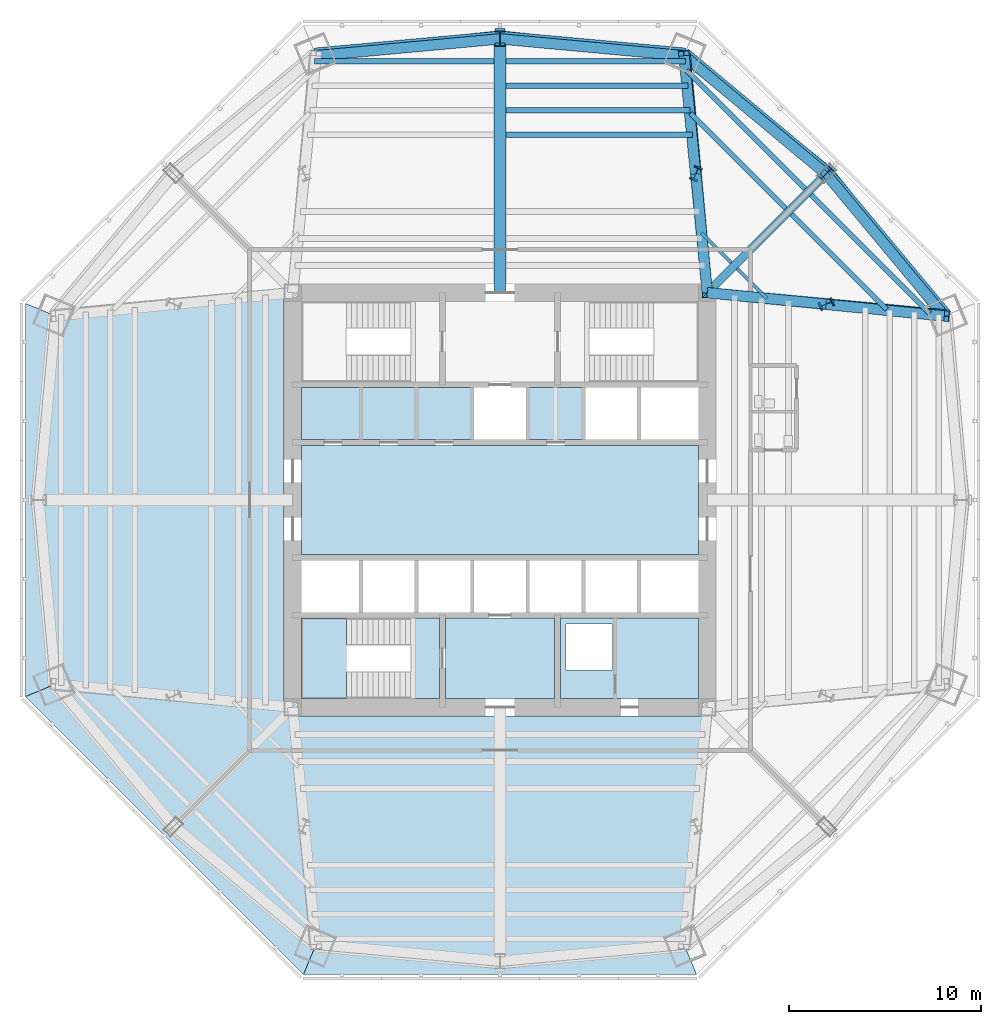
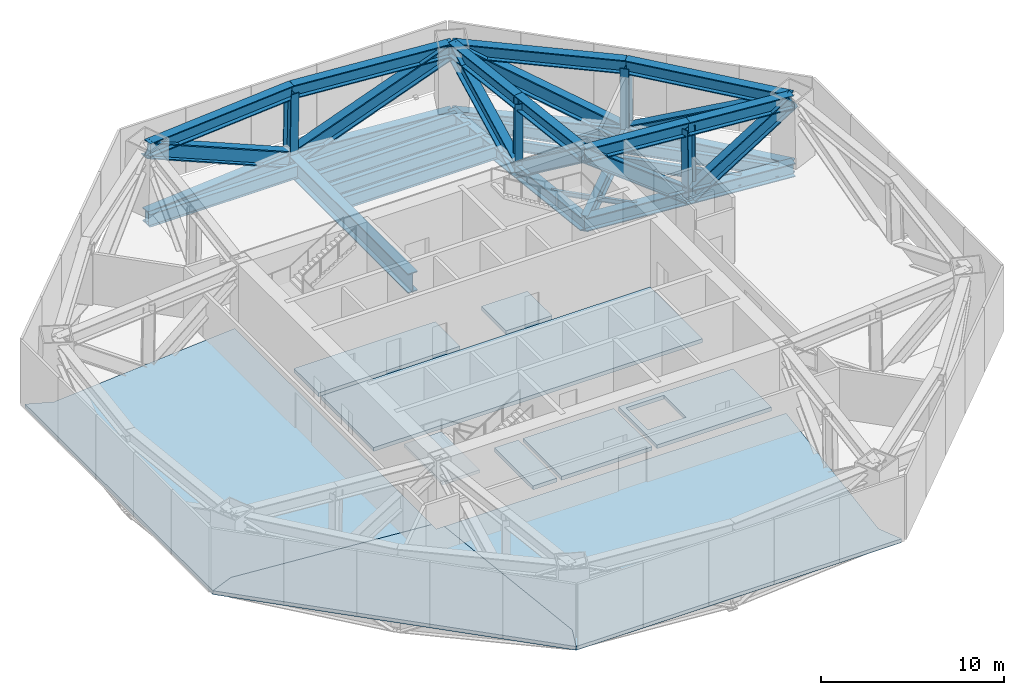
# One storey, part 4 of 10: 28 members, 13 beams, 10 slabs, 1 element without a shape of its own.
"""IFC4 building model written with IfcOpenShell, lengths in metres."""

from ifc_helpers import new_model, si_unit, direction, frame, origin, origin_2d, place, context, subcontext, project, spatial, polyline, i_section, outline, extrude, source, transform, mapped, material, layer, layer_set, material_profile, profile_set, type_object, type_shapes, element, aggregate, save


model = new_model("IFC4")

# Units and contexts
model_context = context("Model", 3, precision=1e-05, world=origin(), true_north=direction((0.0, 1.0)))
body_context = subcontext(model_context, "Body", "Model", "MODEL_VIEW")
ifc_project = project(units=[si_unit("LENGTHUNIT", "METRE"), si_unit("AREAUNIT", "SQUARE_METRE"), si_unit("VOLUMEUNIT", "CUBIC_METRE"), si_unit("PLANEANGLEUNIT", "RADIAN"), si_unit("MASSUNIT", "GRAM", prefix="KILO")], contexts=[model_context])

# Site, building, storey
site_placement = place(None, origin())
site = spatial("IfcSite", under=ifc_project, at=site_placement, CompositionType="ELEMENT")
building_placement = place(site_placement, origin())
building = spatial("IfcBuilding", under=site, at=building_placement, Name="Mashrafa Tower", CompositionType="ELEMENT")
storey_placement = place(building_placement, frame((0.0, 0.0, 108.89990234375)))
storey = spatial("IfcBuildingStorey", under=building, at=storey_placement, Name="L24", CompositionType="ELEMENT", Elevation=108.89990234375)

# Beams
ifc_material_1 = material(Name="Steel ASTM A572 Gr 50", Category="steel")
ifc_material_profile_1 = material_profile(ifc_material_1, i_section(OverallWidth=0.60009765625, OverallDepth=1.300048828125, WebThickness=0.028076171875, FlangeThickness=0.06494140625, at=origin_2d()), Name="H1300X600X28X65")
ifc_profile_set_1 = profile_set([ifc_material_profile_1], Name="Steel ASTM A572 Gr 50")
beam_type_1 = type_object("IfcBeamType", Name="Beam H1300X600X28X65", PredefinedType="BEAM", material=ifc_profile_set_1)
beam_1_placement = place(storey_placement, frame((0.0, 10.800048828125, -0.89990234375), z_axis=(0.0, 1.0, 0.0), x_axis=(-1.0, 0.0, 0.0)))
element("IfcBeam", 1, at=beam_1_placement, inside=storey, type_object=beam_type_1, Name="Radial girder L24 085", PredefinedType="BEAM", context=body_context, shape_type="SweptSolid", body=[
    extrude(i_section(OverallWidth=0.60009765625, OverallDepth=1.300048828125, WebThickness=0.028076171875, FlangeThickness=0.06494140625, at=origin_2d()), origin(), (0.0, 0.0, 1.0), 13.341064453125),
])
ifc_material_2 = material(Name="Steel ASTM A992", Category="steel")
ifc_material_profile_2 = material_profile(ifc_material_2, i_section(OverallWidth=0.164794921875, OverallDepth=0.309814453125, WebThickness=0.005859375, FlangeThickness=0.009765625, FilletRadius=0.007568359375, at=origin_2d()), Name="W12X26")
ifc_profile_set_2 = profile_set([ifc_material_profile_2], Name="Steel ASTM A992")
beam_type_2 = type_object("IfcBeamType", Name="Beam W12X26", PredefinedType="BEAM", material=ifc_profile_set_2)
for number, where, z_axis, x_axis, name in (
    (2, (10.509521484375, 13.911376953125, -0.40478515625), (0.707051315306, -0.707162242717, 0.0), (0.707162242717, 0.707051315306, 0.0), "Floor beam L24 055"),
    (3, (12.35498046875, 12.065673828125, -0.40478515625), (0.707162242717, -0.707051315306, 0.0), (0.707051315306, 0.707162242717, 0.0), "Floor beam L24 061"),
):
    element("IfcBeam", number, at=place(storey_placement, frame(where, z_axis=z_axis, x_axis=x_axis)), inside=storey, type_object=beam_type_2, Name=name, PredefinedType="BEAM", context=body_context, shape_type="SweptSolid", body=[
        extrude(i_section(OverallWidth=0.164794921875, OverallDepth=0.309814453125, WebThickness=0.005859375, FlangeThickness=0.009765625, FilletRadius=0.007568359375, at=origin_2d()), origin(), (0.0, 0.0, 1.0), 2.200927734375),
    ])
ifc_material_3 = material(Name="Steel ASTM A992", Category="steel")
ifc_material_profile_3 = material_profile(ifc_material_3, i_section(OverallWidth=0.25390625, OverallDepth=0.67822265625, WebThickness=0.01171875, FlangeThickness=0.016357421875, FilletRadius=0.01513671875, at=origin_2d()), Name="W27X84")
ifc_profile_set_3 = profile_set([ifc_material_profile_3], Name="Steel ASTM A992")
beam_type_3 = type_object("IfcBeamType", Name="Beam W27X84", PredefinedType="BEAM", material=ifc_profile_set_3)
for number, where, z_axis, x_axis, name in (
    (4, (9.926513671875, 20.15087890625, -0.589111328125), (0.707106781187, -0.707106781187, 0.0), (0.707106781187, 0.707106781187, 0.0), "Floor beam L24 052"),
    (5, (15.183349609375, 14.89404296875, -0.589111328125), (0.707106781187, -0.707106781187, 0.0), (0.707106781187, 0.707106781187, 0.0), "Floor beam L24 068"),
):
    element("IfcBeam", number, at=place(storey_placement, frame(where, z_axis=z_axis, x_axis=x_axis)), inside=storey, type_object=beam_type_3, Name=name, PredefinedType="BEAM", context=body_context, shape_type="SweptSolid", body=[
        extrude(i_section(OverallWidth=0.25390625, OverallDepth=0.67822265625, WebThickness=0.01171875, FlangeThickness=0.016357421875, FilletRadius=0.01513671875, at=origin_2d()), origin(), (0.0, 0.0, 1.0), 7.025146484375),
    ])
ifc_material_4 = material(Name="Steel ASTM A992", Category="steel")
ifc_material_profile_4 = material_profile(ifc_material_4, i_section(OverallWidth=0.2666015625, OverallDepth=0.761962890625, WebThickness=0.014404296875, FlangeThickness=0.021484375, FilletRadius=0.0166015625, at=origin_2d()), Name="W30X116")
ifc_profile_set_4 = profile_set([ifc_material_profile_4], Name="Steel ASTM A992")
beam_type_4 = type_object("IfcBeamType", Name="Beam W30X116", PredefinedType="BEAM", material=ifc_profile_set_4)
for number, where, z_axis, x_axis, name in (
    (6, (9.71728515625, 22.39208984375, -0.630859375), (0.707092842692, -0.707120719406, 0.0), (0.707120719406, 0.707092842692, 0.0), "Floor beam L24 049"),
    (7, (16.19921875, 15.909912109375, -0.630859375), (0.707120719406, -0.707092842692, 0.0), (0.707092842692, 0.707120719406, 0.0), "Floor beam L24 070"),
):
    element("IfcBeam", number, at=place(storey_placement, frame(where, z_axis=z_axis, x_axis=x_axis)), inside=storey, type_object=beam_type_4, Name=name, PredefinedType="BEAM", context=body_context, shape_type="SweptSolid", body=[
        extrude(i_section(OverallWidth=0.2666015625, OverallDepth=0.761962890625, WebThickness=0.014404296875, FlangeThickness=0.021484375, FilletRadius=0.0166015625, at=origin_2d()), origin(), (0.0, 0.0, 1.0), 8.7578125),
    ])
ifc_material_5 = material(Name="Steel ASTM A992", Category="steel")
ifc_material_profile_5 = material_profile(ifc_material_5, i_section(OverallWidth=0.2919921875, OverallDepth=0.8408203125, WebThickness=0.0146484375, FlangeThickness=0.021728515625, FilletRadius=0.017333984375, at=origin_2d()), Name="W33X130")
ifc_profile_set_5 = profile_set([ifc_material_profile_5], Name="Steel ASTM A992")
beam_type_5 = type_object("IfcBeamType", Name="Beam W33X130", PredefinedType="BEAM", material=ifc_profile_set_5)
beam_2_placement = place(storey_placement, frame((-9.673095703125, 22.863525390625, -0.670166015625), z_axis=(1.0, 0.0, 0.0), x_axis=(0.0, 1.0, 0.0)))
element("IfcBeam", 8, at=beam_2_placement, inside=storey, type_object=beam_type_5, Name="Floor beam L24 033", PredefinedType="BEAM", context=body_context, shape_type="SweptSolid", body=[
    extrude(i_section(OverallWidth=0.2919921875, OverallDepth=0.8408203125, WebThickness=0.0146484375, FlangeThickness=0.021728515625, FilletRadius=0.017333984375, at=origin_2d()), origin(), (0.0, 0.0, 1.0), 9.373046875),
])
beam_3_placement = place(storey_placement, frame((0.300048828125, 20.30859375, -0.670166015625), z_axis=(1.0, 0.0, 0.0), x_axis=(0.0, 1.0, 0.0)))
element("IfcBeam", 9, at=beam_3_placement, inside=storey, type_object=beam_type_5, Name="Floor beam L24 045", PredefinedType="BEAM", context=body_context, shape_type="SweptSolid", body=[
    extrude(i_section(OverallWidth=0.2919921875, OverallDepth=0.8408203125, WebThickness=0.0146484375, FlangeThickness=0.021728515625, FilletRadius=0.017333984375, at=origin_2d()), origin(), (0.0, 0.0, 1.0), 9.61181640625),
])
beam_4_placement = place(storey_placement, frame((0.300048828125, 21.586181640625, -0.670166015625), z_axis=(1.0, 0.0, 0.0), x_axis=(0.0, 1.0, 0.0)))
element("IfcBeam", 10, at=beam_4_placement, inside=storey, type_object=beam_type_5, Name="Floor beam L24 046", PredefinedType="BEAM", context=body_context, shape_type="SweptSolid", body=[
    extrude(i_section(OverallWidth=0.2919921875, OverallDepth=0.8408203125, WebThickness=0.0146484375, FlangeThickness=0.021728515625, FilletRadius=0.017333984375, at=origin_2d()), origin(), (0.0, 0.0, 1.0), 9.492431640625),
])
beam_5_placement = place(storey_placement, frame((0.300048828125, 22.863525390625, -0.670166015625), z_axis=(1.0, 0.0, 0.0), x_axis=(0.0, 1.0, 0.0)))
element("IfcBeam", 11, at=beam_5_placement, inside=storey, type_object=beam_type_5, Name="Floor beam L24 047", PredefinedType="BEAM", context=body_context, shape_type="SweptSolid", body=[
    extrude(i_section(OverallWidth=0.2919921875, OverallDepth=0.8408203125, WebThickness=0.0146484375, FlangeThickness=0.021728515625, FilletRadius=0.017333984375, at=origin_2d()), origin(), (0.0, 0.0, 1.0), 9.373046875),
])
ifc_material_6 = material(Name="Steel ASTM A992", Category="steel")
ifc_material_profile_6 = material_profile(ifc_material_6, i_section(OverallWidth=0.2919921875, OverallDepth=0.845703125, WebThickness=0.015380859375, FlangeThickness=0.0244140625, FilletRadius=0.017333984375, at=origin_2d()), Name="W33X141")
ifc_profile_set_6 = profile_set([ifc_material_profile_6], Name="Steel ASTM A992")
beam_type_6 = type_object("IfcBeamType", Name="Beam W33X141", PredefinedType="BEAM", material=ifc_profile_set_6)
beam_6_placement = place(storey_placement, frame((0.300048828125, 19.031005859375, -0.6728515625), z_axis=(1.0, 0.0, 0.0), x_axis=(0.0, 1.0, 0.0)))
element("IfcBeam", 12, at=beam_6_placement, inside=storey, type_object=beam_type_6, Name="Floor beam L24 044", PredefinedType="BEAM", context=body_context, shape_type="SweptSolid", body=[
    extrude(i_section(OverallWidth=0.2919921875, OverallDepth=0.845703125, WebThickness=0.015380859375, FlangeThickness=0.0244140625, FilletRadius=0.017333984375, at=origin_2d()), origin(), (0.0, 0.0, 1.0), 9.73095703125),
])
ifc_material_7 = material(Name="Steel ASTM A992", Category="steel")
ifc_material_profile_7 = material_profile(ifc_material_7, i_section(OverallWidth=0.408935546875, OverallDepth=1.04150390625, WebThickness=0.031005859375, FlangeThickness=0.055908203125, FilletRadius=0.020263671875, at=origin_2d()), Name="W40X397")
ifc_profile_set_7 = profile_set([ifc_material_profile_7], Name="Steel ASTM A992")
beam_type_7 = type_object("IfcBeamType", Name="Beam W40X397", PredefinedType="BEAM", material=ifc_profile_set_7)
beam_7_placement = place(storey_placement, frame((10.800048828125, 10.800048828125, -0.7705078125), z_axis=(0.707106781187, 0.707106781187, 0.0), x_axis=(-0.707106781187, 0.707106781187, 0.0)))
element("IfcBeam", 13, at=beam_7_placement, inside=storey, type_object=beam_type_7, Name="Radial girder L24 088", PredefinedType="BEAM", context=body_context, shape_type="SweptSolid", body=[
    extrude(i_section(OverallWidth=0.408935546875, OverallDepth=1.04150390625, WebThickness=0.031005859375, FlangeThickness=0.055908203125, FilletRadius=0.020263671875, at=origin_2d()), origin(), (0.0, 0.0, 1.0), 8.867431640625),
])

# Members
ifc_material_8 = material(Name="Steel ASTM A572 Gr 50", Category="steel")
ifc_material_profile_8 = material_profile(ifc_material_8, i_section(OverallWidth=0.550048828125, OverallDepth=0.89990234375, WebThickness=0.034912109375, FlangeThickness=0.06005859375, at=origin_2d()), Name="H900X550X35X60")
ifc_profile_set_8 = profile_set([ifc_material_profile_8], Name="Steel ASTM A572 Gr 50")
member_type_1 = type_object("IfcMemberType", Name="Belt truss chord H900X550X35X60", PredefinedType="CHORD", material=ifc_profile_set_8)
shared_shape_1 = source(origin(), body_context, "Body", "SweptSolid", [
    extrude(i_section(OverallWidth=0.550048828125, OverallDepth=0.89990234375, WebThickness=0.034912109375, FlangeThickness=0.06005859375, at=origin_2d()), origin(), (0.0, 0.0, 1.0), 9.680908203125),
])
for number, where, z_axis, x_axis, name in (
    (14, (23.275634765625, 9.64111328125, -0.699951171875), (-0.6400479611, 0.768334957874, 0.0), (-0.768334957874, -0.6400479611, 0.0), "Belt truss bottom chord north-east face L24 right"),
    (15, (9.64111328125, 23.275634765625, -0.699951171875), (0.768334957874, -0.6400479611, 0.0), (0.6400479611, 0.768334957874, 0.0), "Belt truss bottom chord north-east face L24 left"),
    (16, (9.64111328125, 23.275634765625, -0.699951171875), (-0.995877274504, 0.090710826953, 0.0), (-0.090710826953, -0.995877274504, 0.0), "Belt truss bottom chord north face L24 right"),
    (17, (-9.64111328125, 23.275634765625, -0.699951171875), (0.995877274504, 0.090710826953, 0.0), (-0.090710826953, 0.995877274504, 0.0), "Belt truss bottom chord north face L24 left"),
):
    element("IfcMember", number, at=place(storey_placement, frame(where, z_axis=z_axis, x_axis=x_axis)), inside=storey, type_object=member_type_1, Name=name, PredefinedType="CHORD", context=body_context, shape_type="MappedRepresentation", body=[
        mapped(shared_shape_1, transform((0.0, 0.0, 0.0))),
    ])
shared_shape_2 = source(origin(), body_context, "Body", "SweptSolid", [
    extrude(i_section(OverallWidth=0.550048828125, OverallDepth=0.89990234375, WebThickness=0.034912109375, FlangeThickness=0.06005859375, at=origin_2d()), origin(), (0.0, 0.0, 1.0), 9.62744140625),
])
type_shapes(member_type_1, [shared_shape_1, shared_shape_2])
for number, where, z_axis, x_axis, name in (
    (18, (23.14599609375, 9.58740234375, 3.885009765625), (-0.639672926915, 0.768647218542, 0.0), (-0.768647218542, -0.639672926915, 0.0), "Belt truss top chord north-east face L24 right"),
    (19, (9.58740234375, 23.14599609375, 3.885009765625), (0.768647218542, -0.639672926915, 0.0), (0.639672926915, 0.768647218542, 0.0), "Belt truss top chord north-east face L24 left"),
    (20, (9.58740234375, 23.14599609375, 3.885009765625), (-0.995831241369, 0.091214794378, 0.0), (-0.091214794378, -0.995831241369, 0.0), "Belt truss top chord north face L24 right"),
    (21, (-9.58740234375, 23.14599609375, 3.885009765625), (0.995831241369, 0.091214794378, 0.0), (-0.091214794378, 0.995831241369, 0.0), "Belt truss top chord north face L24 left"),
):
    element("IfcMember", number, at=place(storey_placement, frame(where, z_axis=z_axis, x_axis=x_axis)), inside=storey, type_object=member_type_1, Name=name, PredefinedType="CHORD", context=body_context, shape_type="MappedRepresentation", body=[
        mapped(shared_shape_2, transform((0.0, 0.0, 0.0))),
    ])
ifc_material_9 = material(Name="Steel ASTM A572 Gr 50", Category="steel")
ifc_material_profile_9 = material_profile(ifc_material_9, i_section(OverallWidth=0.5, OverallDepth=0.800048828125, WebThickness=0.031982421875, FlangeThickness=0.050048828125, at=origin_2d()), Name="H800X500X32X50")
ifc_profile_set_9 = profile_set([ifc_material_profile_9], Name="Steel ASTM A572 Gr 50")
member_type_2 = type_object("IfcMemberType", Name="Belt truss post H800X500X32X50", PredefinedType="POST", material=ifc_profile_set_9)
shared_shape_3 = source(origin(), body_context, "Body", "SweptSolid", [
    extrude(i_section(OverallWidth=0.5, OverallDepth=0.800048828125, WebThickness=0.031982421875, FlangeThickness=0.050048828125, at=origin_2d()), origin(), (0.0, 0.0, 1.0), 4.5869140625),
])
type_shapes(member_type_2, [shared_shape_3])
for number, where, z_axis, x_axis, name in (
    (22, (17.079345703125, 17.079345703125, -0.699951171875), (-0.020013278491, -0.020013278491, 0.999599388439), (0.707106781187, -0.707106781187, 0.0), "Belt truss post north-east face L24"),
    (23, (0.0, 24.15380859375, -0.699951171875), (0.0, -0.028263464856, 0.99960050848), (1.0, 0.0, 0.0), "Belt truss post north face L24"),
):
    element("IfcMember", number, at=place(storey_placement, frame(where, z_axis=z_axis, x_axis=x_axis)), inside=storey, type_object=member_type_2, Name=name, PredefinedType="POST", context=body_context, shape_type="MappedRepresentation", body=[
        mapped(shared_shape_3, transform((0.0, 0.0, 0.0))),
    ])
ifc_material_10 = material(Name="Steel ASTM A572 Gr 50", Category="steel")
ifc_material_profile_10 = material_profile(ifc_material_10, i_section(OverallWidth=0.60009765625, OverallDepth=1.0, WebThickness=0.0400390625, FlangeThickness=0.070068359375, at=origin_2d()), Name="H1000X600X40X70")
ifc_profile_set_10 = profile_set([ifc_material_profile_10], Name="Steel ASTM A572 Gr 50")
member_type_3 = type_object("IfcMemberType", Name="Belt truss diagonal H1000X600X40X70", PredefinedType="BRACE", material=ifc_profile_set_10)
shared_shape_4 = source(origin(), body_context, "Body", "SweptSolid", [
    extrude(i_section(OverallWidth=0.60009765625, OverallDepth=1.0, WebThickness=0.0400390625, FlangeThickness=0.070068359375, at=origin_2d()), origin(), (0.0, 0.0, 1.0), 10.675048828125),
])
type_shapes(member_type_3, [shared_shape_4])
for number, where, z_axis, x_axis, name in (
    (24, (17.079345703125, 17.079345703125, -0.699951171875), (0.568305224178, -0.701822303286, 0.429505095177), (0.777156398059, 0.629307502701, 0.0), "Belt truss diagonal north-east face L24 right"),
    (25, (17.079345703125, 17.079345703125, -0.699951171875), (-0.701822303286, 0.568305224178, 0.429505095177), (-0.629307502701, -0.777156398059, 0.0), "Belt truss diagonal north-east face L24 left"),
    (26, (0.0, 24.15380859375, -0.699951171875), (0.898116481993, -0.094408577481, 0.429504138829), (0.104542407277, 0.994520429695, 0.0), "Belt truss diagonal north face L24 right"),
    (27, (0.0, 24.15380859375, -0.699951171875), (-0.898116481993, -0.094408577481, 0.429504138829), (0.104542407277, -0.994520429695, 0.0), "Belt truss diagonal north face L24 left"),
):
    element("IfcMember", number, at=place(storey_placement, frame(where, z_axis=z_axis, x_axis=x_axis)), inside=storey, type_object=member_type_3, Name=name, PredefinedType="BRACE", context=body_context, shape_type="MappedRepresentation", body=[
        mapped(shared_shape_4, transform((0.0, 0.0, 0.0))),
    ])
ifc_material_11 = material(Name="Steel ASTM A572 Gr 50", Category="steel")
ifc_material_profile_11 = material_profile(ifc_material_11, i_section(OverallWidth=0.550048828125, OverallDepth=0.89990234375, WebThickness=0.034912109375, FlangeThickness=0.06005859375, at=origin_2d()), Name="H900X550X35X60")
ifc_profile_set_11 = profile_set([ifc_material_profile_11], Name="Steel ASTM A572 Gr 50")
member_type_4 = type_object("IfcMemberType", Name="Outrigger chord H900X550X35X60", PredefinedType="CHORD", material=ifc_profile_set_11)
shared_shape_5 = source(origin(), body_context, "Body", "SweptSolid", [
    extrude(i_section(OverallWidth=0.550048828125, OverallDepth=0.89990234375, WebThickness=0.034912109375, FlangeThickness=0.06005859375, at=origin_2d()), origin(), (0.0, 0.0, 1.0), 6.2646484375),
])
for number, where, z_axis, x_axis, name in (
    (28, (10.800048828125, 10.800048828125, -0.699951171875), (0.995711073269, -0.092517341994, 0.0), (0.092517341994, 0.995711073269, 0.0), "Outrigger bottom chord MC1 L24 core end"),
    (29, (17.037841796875, 10.220458984375, -0.699951171875), (0.995714662569, -0.092478704277, 0.0), (0.092478704277, 0.995714662569, 0.0), "Outrigger bottom chord MC1 L24 column end"),
    (30, (10.800048828125, 10.800048828125, -0.699951171875), (-0.092517341994, 0.995711073269, 0.0), (-0.995711073269, -0.092517341994, 0.0), "Outrigger bottom chord MC2 L24 core end"),
    (31, (10.220458984375, 17.037841796875, -0.699951171875), (-0.092478704277, 0.995714662569, 0.0), (-0.995714662569, -0.092478704277, 0.0), "Outrigger bottom chord MC2 L24 column end"),
):
    element("IfcMember", number, at=place(storey_placement, frame(where, z_axis=z_axis, x_axis=x_axis)), inside=storey, type_object=member_type_4, Name=name, PredefinedType="CHORD", context=body_context, shape_type="MappedRepresentation", body=[
        mapped(shared_shape_5, transform((0.0, 0.0, 0.0))),
    ])
shared_shape_6 = source(origin(), body_context, "Body", "SweptSolid", [
    extrude(i_section(OverallWidth=0.550048828125, OverallDepth=0.89990234375, WebThickness=0.034912109375, FlangeThickness=0.06005859375, at=origin_2d()), origin(), (0.0, 0.0, 1.0), 6.20263671875),
])
for number, where, z_axis, x_axis, name in (
    (32, (10.800048828125, 10.800048828125, 3.885009765625), (0.995208719132, -0.09777323439, 0.0), (0.09777323439, 0.995208719132, 0.0), "Outrigger top chord MC1 L24 core end"),
    (33, (10.800048828125, 10.800048828125, 3.885009765625), (-0.09777323439, 0.995208719132, 0.0), (-0.995208719132, -0.09777323439, 0.0), "Outrigger top chord MC2 L24 core end"),
):
    element("IfcMember", number, at=place(storey_placement, frame(where, z_axis=z_axis, x_axis=x_axis)), inside=storey, type_object=member_type_4, Name=name, PredefinedType="CHORD", context=body_context, shape_type="MappedRepresentation", body=[
        mapped(shared_shape_6, transform((0.0, 0.0, 0.0))),
    ])
shared_shape_7 = source(origin(), body_context, "Body", "SweptSolid", [
    extrude(i_section(OverallWidth=0.550048828125, OverallDepth=0.89990234375, WebThickness=0.034912109375, FlangeThickness=0.06005859375, at=origin_2d()), origin(), (0.0, 0.0, 1.0), 6.202880859375),
])
type_shapes(member_type_4, [shared_shape_5, shared_shape_6, shared_shape_7])
for number, where, z_axis, x_axis, name in (
    (34, (16.972900390625, 10.193603515625, 3.885009765625), (0.995212924374, -0.097730420851, 0.0), (0.097730420851, 0.995212924374, 0.0), "Outrigger top chord MC1 L24 column end"),
    (35, (10.193603515625, 16.972900390625, 3.885009765625), (-0.097730420851, 0.995212924374, 0.0), (-0.995212924374, -0.097730420851, 0.0), "Outrigger top chord MC2 L24 column end"),
):
    element("IfcMember", number, at=place(storey_placement, frame(where, z_axis=z_axis, x_axis=x_axis)), inside=storey, type_object=member_type_4, Name=name, PredefinedType="CHORD", context=body_context, shape_type="MappedRepresentation", body=[
        mapped(shared_shape_7, transform((0.0, 0.0, 0.0))),
    ])
ifc_material_12 = material(Name="Steel ASTM A572 Gr 50", Category="steel")
ifc_material_profile_12 = material_profile(ifc_material_12, i_section(OverallWidth=0.449951171875, OverallDepth=0.699951171875, WebThickness=0.028076171875, FlangeThickness=0.044921875, at=origin_2d()), Name="H700X450X28X45")
ifc_profile_set_12 = profile_set([ifc_material_profile_12], Name="Steel ASTM A572 Gr 50")
member_type_5 = type_object("IfcMemberType", Name="Outrigger post H700X450X28X45", PredefinedType="POST", material=ifc_profile_set_12)
shared_shape_8 = source(origin(), body_context, "Body", "SweptSolid", [
    extrude(i_section(OverallWidth=0.449951171875, OverallDepth=0.699951171875, WebThickness=0.028076171875, FlangeThickness=0.044921875, at=origin_2d()), origin(), (0.0, 0.0, 1.0), 4.58544921875),
])
type_shapes(member_type_5, [shared_shape_8])
for number, where, z_axis, x_axis, name in (
    (36, (17.037841796875, 10.220458984375, -0.699951171875), (-0.0141623408, -0.005856607098, 0.999882557232), (0.382147219086, -0.924101457062, 0.0), "Outrigger post MC1 L24"),
    (37, (10.220458984375, 17.037841796875, -0.699951171875), (-0.005856607098, -0.0141623408, 0.999882557232), (0.924101457062, -0.382147219086, 0.0), "Outrigger post MC2 L24"),
):
    element("IfcMember", number, at=place(storey_placement, frame(where, z_axis=z_axis, x_axis=x_axis)), inside=storey, type_object=member_type_5, Name=name, PredefinedType="POST", context=body_context, shape_type="MappedRepresentation", body=[
        mapped(shared_shape_8, transform((0.0, 0.0, 0.0))),
    ])
ifc_material_13 = material(Name="Steel ASTM A572 Gr 50", Category="steel")
ifc_material_profile_13 = material_profile(ifc_material_13, i_section(OverallWidth=0.550048828125, OverallDepth=0.89990234375, WebThickness=0.034912109375, FlangeThickness=0.06005859375, at=origin_2d()), Name="H900X550X35X60")
ifc_profile_set_13 = profile_set([ifc_material_profile_13], Name="Steel ASTM A572 Gr 50")
member_type_6 = type_object("IfcMemberType", Name="Outrigger diagonal H900X550X35X60", PredefinedType="BRACE", material=ifc_profile_set_13)
shared_shape_9 = source(origin(), body_context, "Body", "SweptSolid", [
    extrude(i_section(OverallWidth=0.550048828125, OverallDepth=0.89990234375, WebThickness=0.034912109375, FlangeThickness=0.06005859375, at=origin_2d()), origin(), (0.0, 0.0, 1.0), 7.76318359375),
])
for number, where, z_axis, x_axis, name in (
    (38, (17.037841796875, 10.220458984375, -0.699951171875), (-0.803504103128, 0.074658267743, 0.590599102026), (-0.092517341994, -0.995711073269, 0.0), "Outrigger diagonal MC1 L24 core end"),
    (39, (10.220458984375, 17.037841796875, -0.699951171875), (0.074658267743, -0.803504103128, 0.590599102026), (0.995711073269, 0.092517341994, 0.0), "Outrigger diagonal MC2 L24 core end"),
):
    element("IfcMember", number, at=place(storey_placement, frame(where, z_axis=z_axis, x_axis=x_axis)), inside=storey, type_object=member_type_6, Name=name, PredefinedType="BRACE", context=body_context, shape_type="MappedRepresentation", body=[
        mapped(shared_shape_9, transform((0.0, 0.0, 0.0))),
    ])
shared_shape_10 = source(origin(), body_context, "Body", "SweptSolid", [
    extrude(i_section(OverallWidth=0.550048828125, OverallDepth=0.89990234375, WebThickness=0.034912109375, FlangeThickness=0.06005859375, at=origin_2d()), origin(), (0.0, 0.0, 1.0), 7.66357421875),
])
type_shapes(member_type_6, [shared_shape_9, shared_shape_10])
for number, where, z_axis, x_axis, name in (
    (40, (17.037841796875, 10.220458984375, -0.699951171875), (0.797025014387, -0.082604654954, 0.598270505224), (0.103089045776, 0.994672131228, 0.0), "Outrigger diagonal MC1 L24 column end"),
    (41, (10.220458984375, 17.037841796875, -0.699951171875), (-0.082604654954, 0.797025014387, 0.598270505224), (-0.994672131228, -0.103089045776, 0.0), "Outrigger diagonal MC2 L24 column end"),
):
    element("IfcMember", number, at=place(storey_placement, frame(where, z_axis=z_axis, x_axis=x_axis)), inside=storey, type_object=member_type_6, Name=name, PredefinedType="BRACE", context=body_context, shape_type="MappedRepresentation", body=[
        mapped(shared_shape_10, transform((0.0, 0.0, 0.0))),
    ])

# Slabs
ifc_material_14 = material(Name="Concrete C35/45", Category="concrete")
ifc_layer_1 = layer(ifc_material_14, 0.25)
ifc_layer_set_1 = layer_set([ifc_layer_1], Name="Floor slab 250")
slab_type_1 = type_object("IfcSlabType", Name="Floor slab 250", PredefinedType="FLOOR", material=ifc_layer_set_1)
slab_1_placement = place(storey_placement, frame((0.0, 0.0, -0.25)))
element("IfcSlab", 42, at=slab_1_placement, inside=storey, type_object=slab_type_1, Name="Floor slab L24 west bay", PredefinedType="FLOOR", context=body_context, shape_type="SweptSolid", body=[
    extrude(outline(polyline([(-24.734130859375, 10.2451171875), (-23.262939453125, 9.6357421875), (-11.25, 10.758056640625), (-11.25, -10.758056640625), (-23.262939453125, -9.6357421875), (-24.734130859375, -10.2451171875), (-24.734130859375, 10.2451171875)])), origin(), (0.0, 0.0, 1.0), 0.25),
])
slab_2_placement = place(storey_placement, frame((0.0, 0.0, -0.25)))
element("IfcSlab", 43, at=slab_2_placement, inside=storey, type_object=slab_type_1, Name="Floor slab L24 south-west bay", PredefinedType="FLOOR", context=body_context, shape_type="SweptSolid", body=[
    extrude(outline(polyline([(-10.2451171875, -24.734130859375), (-24.734130859375, -10.2451171875), (-24.734130859375, -10.2451171875), (-23.262939453125, -9.6357421875), (-11.25, -10.758056640625), (-11.25, -11.25), (-10.758056640625, -11.25), (-9.6357421875, -23.262939453125), (-10.2451171875, -24.734130859375), (-10.2451171875, -24.734130859375)])), origin(), (0.0, 0.0, 1.0), 0.25),
])
slab_3_placement = place(storey_placement, frame((0.0, 0.0, -0.25)))
element("IfcSlab", 44, at=slab_3_placement, inside=storey, type_object=slab_type_1, Name="Floor slab L24 south bay", PredefinedType="FLOOR", context=body_context, shape_type="SweptSolid", body=[
    extrude(outline(polyline([(-10.2451171875, -24.734130859375), (-9.6357421875, -23.262939453125), (-10.758056640625, -11.25), (10.758056640625, -11.25), (9.6357421875, -23.262939453125), (10.2451171875, -24.734130859375), (-10.2451171875, -24.734130859375)])), origin(), (0.0, 0.0, 1.0), 0.25),
])
slab_4_placement = place(storey_placement, frame((0.0, 0.0, -0.25)))
element("IfcSlab", 45, at=slab_4_placement, inside=storey, type_object=slab_type_1, Name="Core floor lift hall L24", PredefinedType="FLOOR", context=body_context, shape_type="SweptSolid", body=[
    extrude(outline(polyline([(-10.35009765625, 2.85009765625), (10.35009765625, 2.85009765625), (10.35009765625, -2.85009765625), (-10.35009765625, -2.85009765625), (-10.35009765625, 2.85009765625)])), origin(), (0.0, 0.0, 1.0), 0.25),
])
slab_5_placement = place(storey_placement, frame((0.0, 0.0, -0.25)))
element("IfcSlab", 46, at=slab_5_placement, inside=storey, type_object=slab_type_1, Name="Core floor riser and electrical band L24", PredefinedType="FLOOR", context=body_context, shape_type="SweptSolid", body=[
    extrude(outline(polyline([(10.35009765625, -6.14990234375), (10.35009765625, -10.35009765625), (3.14990234375, -10.35009765625), (3.14990234375, -6.14990234375), (10.35009765625, -6.14990234375)]), holes=[polyline([(3.449951171875, -8.85009765625), (5.85009765625, -8.85009765625), (5.85009765625, -6.449951171875), (3.449951171875, -6.449951171875), (3.449951171875, -8.85009765625)])]), origin(), (0.0, 0.0, 1.0), 0.25),
])
slab_6_placement = place(storey_placement, frame((0.0, 0.0, -0.25)))
element("IfcSlab", 47, at=slab_6_placement, inside=storey, type_object=slab_type_1, Name="Core floor lift cell L24", PredefinedType="FLOOR", context=body_context, shape_type="SweptSolid", body=[
    extrude(outline(polyline([(-1.449951171875, 3.14990234375), (-10.35009765625, 3.14990234375), (-10.35009765625, 5.85009765625), (-1.449951171875, 5.85009765625), (-1.449951171875, 3.14990234375)])), origin(), (0.0, 0.0, 1.0), 0.25),
])
slab_7_placement = place(storey_placement, frame((0.0, 0.0, -0.25)))
element("IfcSlab", 48, at=slab_7_placement, inside=storey, type_object=slab_type_1, Name="Core floor fire-fighting lobby south L24", PredefinedType="FLOOR", context=body_context, shape_type="SweptSolid", body=[
    extrude(outline(polyline([(2.85009765625, -6.14990234375), (2.85009765625, -10.35009765625), (-2.85009765625, -10.35009765625), (-2.85009765625, -6.14990234375), (2.85009765625, -6.14990234375)])), origin(), (0.0, 0.0, 1.0), 0.25),
])
slab_8_placement = place(storey_placement, frame((0.0, 0.0, -0.25)))
element("IfcSlab", 49, at=slab_8_placement, inside=storey, type_object=slab_type_1, Name="Core floor lift cell L24", PredefinedType="FLOOR", context=body_context, shape_type="SweptSolid", body=[
    extrude(outline(polyline([(4.35009765625, 5.85009765625), (4.35009765625, 3.14990234375), (1.449951171875, 3.14990234375), (1.449951171875, 5.85009765625), (4.35009765625, 5.85009765625)])), origin(), (0.0, 0.0, 1.0), 0.25),
])

# Stair, slabs
ifc_material_15 = material(Name="Exit stair 1400")
stair_type = type_object("IfcStairType", Name="Exit stair 1400", PredefinedType="HALF_TURN_STAIR", material=ifc_material_15)
stair_placement = place(storey_placement, origin())
stair = element("IfcStair", 50, at=stair_placement, inside=storey, type_object=stair_type, Name="Stair S3 L24", PredefinedType="HALF_TURN_STAIR")
ifc_material_16 = material(Name="Concrete C32/40", Category="concrete")
ifc_layer_2 = layer(ifc_material_16, 0.199951171875)
ifc_layer_set_2 = layer_set([ifc_layer_2], Name="Stair landing 200")
slab_type_2 = type_object("IfcSlabType", Name="Stair landing 200", PredefinedType="LANDING", material=ifc_layer_set_2)
slab_9_placement = place(storey_placement, frame((0.0, 0.0, 2.050048828125)))
slab_9 = element("IfcSlab", 51, at=slab_9_placement, type_object=slab_type_2, Name="S3 landing 2", PredefinedType="LANDING", context=body_context, shape_type="SweptSolid", body=[
    extrude(outline(polyline([(-10.35009765625, -10.35009765625), (-8.0, -10.35009765625), (-8.0, -6.14990234375), (-10.35009765625, -6.14990234375), (-10.35009765625, -10.35009765625)])), origin(), (0.0, 0.0, 1.0), 0.199951171875),
])
ifc_material_17 = material(Name="Concrete C32/40", Category="concrete")
ifc_layer_3 = layer(ifc_material_17, 0.25)
ifc_layer_set_3 = layer_set([ifc_layer_3], Name="Stair landing 250")
slab_type_3 = type_object("IfcSlabType", Name="Stair landing 250", PredefinedType="LANDING", material=ifc_layer_set_3)
slab_10_placement = place(storey_placement, frame((0.0, 0.0, -0.25)))
slab_10 = element("IfcSlab", 52, at=slab_10_placement, type_object=slab_type_3, Name="S3 landing 1", PredefinedType="LANDING", context=body_context, shape_type="SweptSolid", body=[
    extrude(outline(polyline([(-4.659912109375, -10.35009765625), (-3.14990234375, -10.35009765625), (-3.14990234375, -6.14990234375), (-4.659912109375, -6.14990234375), (-4.659912109375, -10.35009765625)])), origin(), (0.0, 0.0, 1.0), 0.25),
])
aggregate(stair, [slab_10, slab_9])

save(model, "model.ifc")
